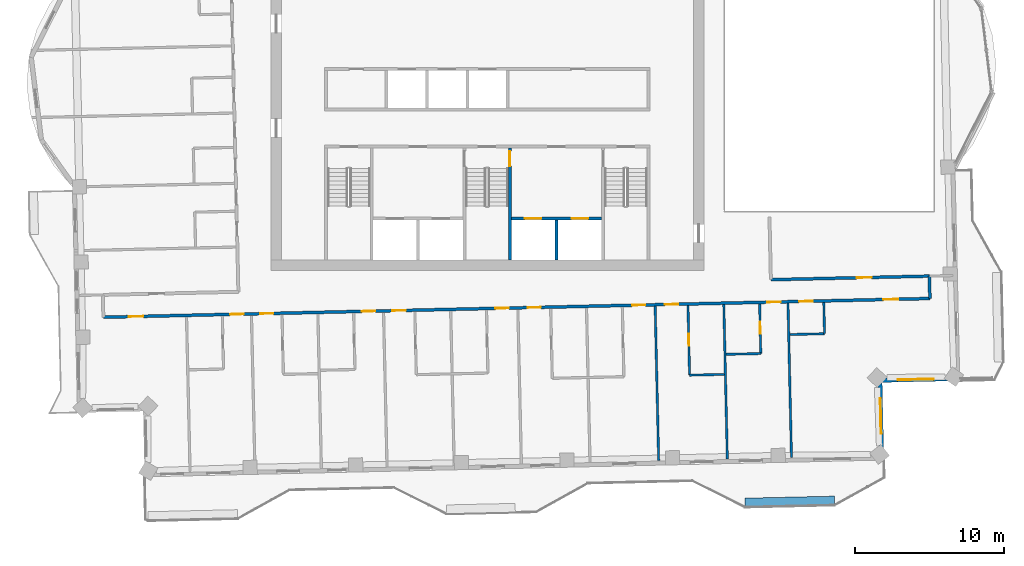
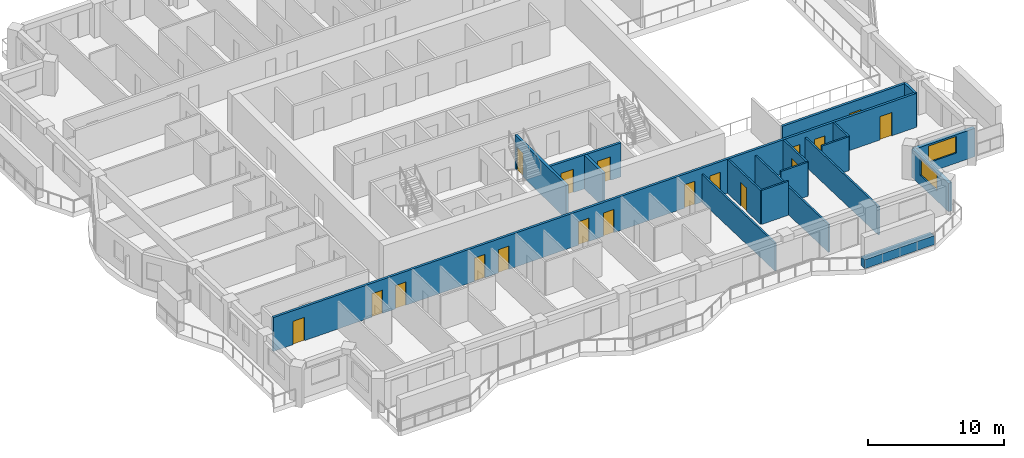
# One storey, part 11 of 19: 18 doors, 18 walls, 2 windows, 20 openings.
"""IFC4 building model written with IfcOpenShell, lengths in metres."""

from ifc_helpers import new_model, si_unit, direction, frame, frame_2d, origin, place, context, subcontext, project, spatial, rectangle, extrude, material, layer, layer_set, type_object, element, fill, save


model = new_model("IFC4")

# Units and contexts
model_context = context("Model", 3, precision=1e-05, world=origin(), true_north=direction((0.0, 1.0)))
body_context = subcontext(model_context, "Body", "Model", "MODEL_VIEW")
ifc_project = project(units=[si_unit("LENGTHUNIT", "METRE"), si_unit("AREAUNIT", "SQUARE_METRE"), si_unit("VOLUMEUNIT", "CUBIC_METRE"), si_unit("PLANEANGLEUNIT", "RADIAN"), si_unit("MASSUNIT", "GRAM", prefix="KILO")], contexts=[model_context])

# Site, building, storey
site_placement = place(None, origin())
site = spatial("IfcSite", under=ifc_project, at=site_placement, CompositionType="ELEMENT")
building_placement = place(site_placement, origin())
building = spatial("IfcBuilding", under=site, at=building_placement, Name="Mangrove Gate Tower", CompositionType="ELEMENT")
storey_placement = place(building_placement, frame((0.0, 0.0, 297.89990234375)))
storey = spatial("IfcBuildingStorey", under=building, at=storey_placement, Name="L76", CompositionType="ELEMENT", Elevation=297.89990234375)

# Wall, openings, doors
ifc_material_1 = material(Name="Concrete C50/60", Category="concrete")
ifc_layer_1 = layer(ifc_material_1, 0.199951171875)
ifc_layer_set_1 = layer_set([ifc_layer_1], Name="Core shaft wall 200 C50/60")
wall_type_1 = type_object("IfcWallType", Name="Core shaft wall 200 C50/60", PredefinedType="SHEAR", material=ifc_layer_set_1)
wall_1_placement = place(storey_placement, frame((1.60009765625, -8.0, 0.0), z_axis=(0.0, 0.0, 1.0), x_axis=(1.0, 0.0, 0.0)))
wall_1 = element("IfcWall", 1, at=wall_1_placement, inside=storey, type_object=wall_type_1, Name="WALL-L76-CORE-17", PredefinedType="SHEAR", context=body_context, shape_type="SweptSolid", body=[
    extrude(rectangle(XDim=6.0498046875, YDim=0.199951171875, at=frame_2d((3.02490234375, 0.0))), origin(), (0.0, 0.0, 1.0), 3.050048828125),
])
opening_1_placement = place(wall_1_placement, frame((0.91259765625, 0.0, 0.0)))
opening_1 = element("IfcOpeningElement", 2, at=opening_1_placement, cuts=wall_1, Name="Opening LD", PredefinedType="OPENING", context=body_context, shape_type="SweptSolid", body=[
    extrude(rectangle(XDim=1.10009765625, YDim=2.10009765625, at=frame_2d((0.550048828125, 1.050048828125))), frame((0.0, 0.10986328125, 0.0), z_axis=(0.0, -1.0, 0.0), x_axis=(1.0, 0.0, 0.0)), (0.0, 0.0, 1.0), 0.219970703125),
])
opening_2_placement = place(wall_1_placement, frame((4.03759765625, 0.0, 0.0)))
opening_2 = element("IfcOpeningElement", 3, at=opening_2_placement, cuts=wall_1, Name="Opening LD", PredefinedType="OPENING", context=body_context, shape_type="SweptSolid", body=[
    extrude(rectangle(XDim=1.10009765625, YDim=2.10009765625, at=frame_2d((0.550048828125, 1.050048828125))), frame((0.0, 0.10986328125, 0.0), z_axis=(0.0, -1.0, 0.0), x_axis=(1.0, 0.0, 0.0)), (0.0, 0.0, 1.0), 0.219970703125),
])
ifc_material_2 = material(Name="Stainless steel 316", Category="steel")
door_type_1 = type_object("IfcDoorType", Name="Lift landing door 1100x2100", OperationType="SLIDING_TO_LEFT", PredefinedType="DOOR", material=ifc_material_2)
door_1_placement = place(opening_1_placement, origin())
door_1 = element("IfcDoor", 4, at=door_1_placement, inside=storey, type_object=door_type_1, Name="Landing door LD FFL1", OperationType="SLIDING_TO_LEFT", OverallHeight=2.10009765625, OverallWidth=1.10009765625, PredefinedType="DOOR", context=body_context, shape_type="SweptSolid", body=[
    extrude(rectangle(XDim=1.10009765625, YDim=2.10009765625, at=frame_2d((0.550048828125, 1.050048828125))), frame((0.0, 0.02490234375, 0.0), z_axis=(0.0, -1.0, 0.0), x_axis=(1.0, 0.0, 0.0)), (0.0, 0.0, 1.0), 0.050048828125),
])
fill(opening_1, door_1)
door_2_placement = place(opening_2_placement, origin())
door_2 = element("IfcDoor", 5, at=door_2_placement, inside=storey, type_object=door_type_1, Name="Landing door LD FFL2", OperationType="SLIDING_TO_LEFT", OverallHeight=2.10009765625, OverallWidth=1.10009765625, PredefinedType="DOOR", context=body_context, shape_type="SweptSolid", body=[
    extrude(rectangle(XDim=1.10009765625, YDim=2.10009765625, at=frame_2d((0.550048828125, 1.050048828125))), frame((0.0, 0.02490234375, 0.0), z_axis=(0.0, -1.0, 0.0), x_axis=(1.0, 0.0, 0.0)), (0.0, 0.0, 1.0), 0.050048828125),
])
fill(opening_2, door_2)

# Wall
wall_2_placement = place(storey_placement, frame((4.625, -10.800048828125, 0.0), z_axis=(0.0, 0.0, 1.0), x_axis=(0.0, 1.0, 0.0)))
element("IfcWall", 6, at=wall_2_placement, inside=storey, type_object=wall_type_1, Name="WALL-L76-CORE-18", PredefinedType="SHEAR", context=body_context, shape_type="SweptSolid", body=[
    extrude(rectangle(XDim=2.699951171875, YDim=0.199951171875, at=frame_2d((1.35009765625, 0.0))), origin(), (0.0, 0.0, 1.0), 3.050048828125),
])

# Wall, opening, door
ifc_material_3 = material(Name="Concrete C50/60", Category="concrete")
ifc_layer_2 = layer(ifc_material_3, 0.199951171875)
ifc_layer_set_2 = layer_set([ifc_layer_2], Name="Core stair wall 200 C50/60")
wall_type_2 = type_object("IfcWallType", Name="Core stair wall 200 C50/60", PredefinedType="SHEAR", material=ifc_layer_set_2)
wall_3_placement = place(storey_placement, frame((1.5, -10.800048828125, 0.0), z_axis=(0.0, 0.0, 1.0), x_axis=(0.0, 1.0, 0.0)))
wall_3 = element("IfcWall", 7, at=wall_3_placement, inside=storey, type_object=wall_type_2, Name="WALL-L76-CORE-12", PredefinedType="SHEAR", context=body_context, shape_type="SweptSolid", body=[
    extrude(rectangle(XDim=7.5, YDim=0.199951171875, at=frame_2d((3.75, 0.0))), origin(), (0.0, 0.0, 1.0), 3.050048828125),
])
opening_3_placement = place(wall_3_placement, frame((6.300048828125, 0.0, 0.0)))
opening_3 = element("IfcOpeningElement", 8, at=opening_3_placement, cuts=wall_3, Name="Opening STD10", PredefinedType="OPENING", context=body_context, shape_type="SweptSolid", body=[
    extrude(rectangle(XDim=1.0, YDim=2.10009765625, at=frame_2d((0.5, 1.050048828125))), frame((0.0, 0.10986328125, 0.0), z_axis=(0.0, -1.0, 0.0), x_axis=(1.0, 0.0, 0.0)), (0.0, 0.0, 1.0), 0.219970703125),
])
ifc_material_4 = material(Name="Fire-rated steel door set", Category="steel")
door_type_2 = type_object("IfcDoorType", Name="Stair door FD60 1000x2100", OperationType="SINGLE_SWING_RIGHT", PredefinedType="DOOR", material=ifc_material_4)
door_3_placement = place(opening_3_placement, origin())
door_3 = element("IfcDoor", 9, at=door_3_placement, inside=storey, type_object=door_type_2, Name="Stair door Stair 2 from fire-fighting lobby", OperationType="SINGLE_SWING_RIGHT", OverallHeight=2.10009765625, OverallWidth=1.0, PredefinedType="DOOR", context=body_context, shape_type="SweptSolid", body=[
    extrude(rectangle(XDim=1.0, YDim=2.10009765625, at=frame_2d((0.5, 1.050048828125))), frame((0.0, 0.02490234375, 0.0), z_axis=(0.0, -1.0, 0.0), x_axis=(1.0, 0.0, 0.0)), (0.0, 0.0, 1.0), 0.050048828125),
])
fill(opening_3, door_3)

# Wall, openings, doors
ifc_material_5 = material(Name="Gypsum board on steel stud, EI 60", Category="steel")
ifc_layer_3 = layer(ifc_material_5, 0.199951171875)
ifc_layer_set_3 = layer_set([ifc_layer_3], Name="Corridor wall EI 60")
wall_type_3 = type_object("IfcWallType", Name="Corridor wall EI 60", PredefinedType="PARTITIONING", material=ifc_layer_set_3)
wall_4_placement = place(storey_placement, frame((-25.73095703125, -14.6240234375, 0.0), z_axis=(0.0, 0.0, 1.0), x_axis=(0.999742799525, 0.022678950563, 0.0)))
wall_4 = element("IfcWall", 10, at=wall_4_placement, inside=storey, type_object=wall_type_3, Name="WALL-L76-029", PredefinedType="PARTITIONING", context=body_context, shape_type="SweptSolid", body=[
    extrude(rectangle(XDim=55.38623046875, YDim=0.199951171875, at=frame_2d((27.693115234375, 0.0))), origin(), (0.0, 0.0, 1.0), 3.050048828125),
])
opening_4_placement = place(wall_4_placement, frame((1.69091796875, 0.0, 0.0)))
opening_4 = element("IfcOpeningElement", 11, at=opening_4_placement, cuts=wall_4, Name="Opening AD", PredefinedType="OPENING", context=body_context, shape_type="SweptSolid", body=[
    extrude(rectangle(XDim=1.0, YDim=2.10009765625, at=frame_2d((0.5, 1.050048828125))), frame((0.0, 0.10986328125, 0.0), z_axis=(0.0, -1.0, 0.0), x_axis=(1.0, 0.0, 0.0)), (0.0, 0.0, 1.0), 0.219970703125),
])
opening_5_placement = place(wall_4_placement, frame((8.5, 0.0, 0.0)))
opening_5 = element("IfcOpeningElement", 12, at=opening_5_placement, cuts=wall_4, Name="Opening BD", PredefinedType="OPENING", context=body_context, shape_type="SweptSolid", body=[
    extrude(rectangle(XDim=0.89990234375, YDim=2.10009765625, at=frame_2d((0.449951171875, 1.050048828125))), frame((0.0, 0.10986328125, 0.0), z_axis=(0.0, -1.0, 0.0), x_axis=(1.0, 0.0, 0.0)), (0.0, 0.0, 1.0), 0.219970703125),
])
opening_6_placement = place(wall_4_placement, frame((10.5, 0.0, 0.0)))
opening_6 = element("IfcOpeningElement", 13, at=opening_6_placement, cuts=wall_4, Name="Opening BD", PredefinedType="OPENING", context=body_context, shape_type="SweptSolid", body=[
    extrude(rectangle(XDim=0.89990234375, YDim=2.10009765625, at=frame_2d((0.449951171875, 1.050048828125))), frame((0.0, 0.10986328125, 0.0), z_axis=(0.0, -1.0, 0.0), x_axis=(1.0, 0.0, 0.0)), (0.0, 0.0, 1.0), 0.219970703125),
])
opening_7_placement = place(wall_4_placement, frame((17.324951171875, 0.0, 0.0)))
opening_7 = element("IfcOpeningElement", 14, at=opening_7_placement, cuts=wall_4, Name="Opening BD", PredefinedType="OPENING", context=body_context, shape_type="SweptSolid", body=[
    extrude(rectangle(XDim=0.89990234375, YDim=2.10009765625, at=frame_2d((0.449951171875, 1.050048828125))), frame((0.0, 0.10986328125, 0.0), z_axis=(0.0, -1.0, 0.0), x_axis=(1.0, 0.0, 0.0)), (0.0, 0.0, 1.0), 0.219970703125),
])
opening_8_placement = place(wall_4_placement, frame((19.375, 0.0, 0.0)))
opening_8 = element("IfcOpeningElement", 15, at=opening_8_placement, cuts=wall_4, Name="Opening BD", PredefinedType="OPENING", context=body_context, shape_type="SweptSolid", body=[
    extrude(rectangle(XDim=0.89990234375, YDim=2.10009765625, at=frame_2d((0.449951171875, 1.050048828125))), frame((0.0, 0.10986328125, 0.0), z_axis=(0.0, -1.0, 0.0), x_axis=(1.0, 0.0, 0.0)), (0.0, 0.0, 1.0), 0.219970703125),
])
opening_9_placement = place(wall_4_placement, frame((26.27490234375, 0.0, 0.0)))
opening_9 = element("IfcOpeningElement", 16, at=opening_9_placement, cuts=wall_4, Name="Opening BD", PredefinedType="OPENING", context=body_context, shape_type="SweptSolid", body=[
    extrude(rectangle(XDim=0.89990234375, YDim=2.10009765625, at=frame_2d((0.449951171875, 1.050048828125))), frame((0.0, 0.10986328125, 0.0), z_axis=(0.0, -1.0, 0.0), x_axis=(1.0, 0.0, 0.0)), (0.0, 0.0, 1.0), 0.219970703125),
])
opening_10_placement = place(wall_4_placement, frame((28.425048828125, 0.0, 0.0)))
opening_10 = element("IfcOpeningElement", 17, at=opening_10_placement, cuts=wall_4, Name="Opening BD", PredefinedType="OPENING", context=body_context, shape_type="SweptSolid", body=[
    extrude(rectangle(XDim=0.89990234375, YDim=2.10009765625, at=frame_2d((0.449951171875, 1.050048828125))), frame((0.0, 0.10986328125, 0.0), z_axis=(0.0, -1.0, 0.0), x_axis=(1.0, 0.0, 0.0)), (0.0, 0.0, 1.0), 0.219970703125),
])
opening_11_placement = place(wall_4_placement, frame((35.425048828125, 0.0, 0.0)))
opening_11 = element("IfcOpeningElement", 18, at=opening_11_placement, cuts=wall_4, Name="Opening BD", PredefinedType="OPENING", context=body_context, shape_type="SweptSolid", body=[
    extrude(rectangle(XDim=0.89990234375, YDim=2.10009765625, at=frame_2d((0.449951171875, 1.050048828125))), frame((0.0, 0.10986328125, 0.0), z_axis=(0.0, -1.0, 0.0), x_axis=(1.0, 0.0, 0.0)), (0.0, 0.0, 1.0), 0.219970703125),
])
opening_12_placement = place(wall_4_placement, frame((37.625, 0.0, 0.0)))
opening_12 = element("IfcOpeningElement", 19, at=opening_12_placement, cuts=wall_4, Name="Opening BD", PredefinedType="OPENING", context=body_context, shape_type="SweptSolid", body=[
    extrude(rectangle(XDim=0.89990234375, YDim=2.10009765625, at=frame_2d((0.449951171875, 1.050048828125))), frame((0.0, 0.10986328125, 0.0), z_axis=(0.0, -1.0, 0.0), x_axis=(1.0, 0.0, 0.0)), (0.0, 0.0, 1.0), 0.219970703125),
])
opening_13_placement = place(wall_4_placement, frame((44.47509765625, 0.0, 0.0)))
opening_13 = element("IfcOpeningElement", 20, at=opening_13_placement, cuts=wall_4, Name="Opening BD", PredefinedType="OPENING", context=body_context, shape_type="SweptSolid", body=[
    extrude(rectangle(XDim=0.89990234375, YDim=2.10009765625, at=frame_2d((0.449951171875, 1.050048828125))), frame((0.0, 0.10986328125, 0.0), z_axis=(0.0, -1.0, 0.0), x_axis=(1.0, 0.0, 0.0)), (0.0, 0.0, 1.0), 0.219970703125),
])
opening_14_placement = place(wall_4_placement, frame((52.26806640625, 0.0, 0.0)))
opening_14 = element("IfcOpeningElement", 21, at=opening_14_placement, cuts=wall_4, Name="Opening AD", PredefinedType="OPENING", context=body_context, shape_type="SweptSolid", body=[
    extrude(rectangle(XDim=1.0, YDim=2.10009765625, at=frame_2d((0.5, 1.050048828125))), frame((0.0, 0.10986328125, 0.0), z_axis=(0.0, -1.0, 0.0), x_axis=(1.0, 0.0, 0.0)), (0.0, 0.0, 1.0), 0.219970703125),
])
opening_15_placement = place(wall_4_placement, frame((46.625, 0.0, 0.0)))
opening_15 = element("IfcOpeningElement", 22, at=opening_15_placement, cuts=wall_4, Name="Opening SD", PredefinedType="OPENING", context=body_context, shape_type="SweptSolid", body=[
    extrude(rectangle(XDim=0.89990234375, YDim=2.10009765625, at=frame_2d((0.449951171875, 1.050048828125))), frame((0.0, 0.10986328125, 0.0), z_axis=(0.0, -1.0, 0.0), x_axis=(1.0, 0.0, 0.0)), (0.0, 0.0, 1.0), 0.219970703125),
])
ifc_material_6 = material(Name="Timber door leaf", Category="wood")
door_type_3 = type_object("IfcDoorType", Name="Amenity door 1000", OperationType="SINGLE_SWING_LEFT", PredefinedType="DOOR", material=ifc_material_6)
door_4_placement = place(opening_4_placement, origin())
door_4 = element("IfcDoor", 23, at=door_4_placement, inside=storey, type_object=door_type_3, Name="DOOR-L76-STU-c1a", OperationType="SINGLE_SWING_LEFT", OverallHeight=2.10009765625, OverallWidth=1.0, PredefinedType="DOOR", context=body_context, shape_type="SweptSolid", body=[
    extrude(rectangle(XDim=1.0, YDim=2.10009765625, at=frame_2d((0.5, 1.050048828125))), frame((0.0, 0.02490234375, 0.0), z_axis=(0.0, -1.0, 0.0), x_axis=(1.0, 0.0, 0.0)), (0.0, 0.0, 1.0), 0.050048828125),
])
fill(opening_4, door_4)
door_5_placement = place(opening_14_placement, origin())
door_5 = element("IfcDoor", 24, at=door_5_placement, inside=storey, type_object=door_type_3, Name="DOOR-L76-LNG-c3a", OperationType="SINGLE_SWING_RIGHT", OverallHeight=2.10009765625, OverallWidth=1.0, PredefinedType="DOOR", context=body_context, shape_type="SweptSolid", body=[
    extrude(rectangle(XDim=1.0, YDim=2.10009765625, at=frame_2d((0.5, 1.050048828125))), frame((0.0, 0.02490234375, 0.0), z_axis=(0.0, -1.0, 0.0), x_axis=(1.0, 0.0, 0.0)), (0.0, 0.0, 1.0), 0.050048828125),
])
fill(opening_14, door_5)
ifc_material_7 = material(Name="Timber door leaf", Category="wood")
door_type_4 = type_object("IfcDoorType", Name="Bedroom door 900", OperationType="SINGLE_SWING_LEFT", PredefinedType="DOOR", material=ifc_material_7)
door_6_placement = place(opening_5_placement, origin())
door_6 = element("IfcDoor", 25, at=door_6_placement, inside=storey, type_object=door_type_4, Name="DOOR-L76-BED-c101", OperationType="SINGLE_SWING_LEFT", OverallHeight=2.10009765625, OverallWidth=0.89990234375, PredefinedType="DOOR", context=body_context, shape_type="SweptSolid", body=[
    extrude(rectangle(XDim=0.89990234375, YDim=2.10009765625, at=frame_2d((0.449951171875, 1.050048828125))), frame((0.0, 0.02490234375, 0.0), z_axis=(0.0, -1.0, 0.0), x_axis=(1.0, 0.0, 0.0)), (0.0, 0.0, 1.0), 0.050048828125),
])
fill(opening_5, door_6)
door_7_placement = place(opening_6_placement, origin())
door_7 = element("IfcDoor", 26, at=door_7_placement, inside=storey, type_object=door_type_4, Name="DOOR-L76-BED-c102", OperationType="SINGLE_SWING_RIGHT", OverallHeight=2.10009765625, OverallWidth=0.89990234375, PredefinedType="DOOR", context=body_context, shape_type="SweptSolid", body=[
    extrude(rectangle(XDim=0.89990234375, YDim=2.10009765625, at=frame_2d((0.449951171875, 1.050048828125))), frame((0.0, 0.02490234375, 0.0), z_axis=(0.0, -1.0, 0.0), x_axis=(1.0, 0.0, 0.0)), (0.0, 0.0, 1.0), 0.050048828125),
])
fill(opening_6, door_7)
door_8_placement = place(opening_7_placement, origin())
door_8 = element("IfcDoor", 27, at=door_8_placement, inside=storey, type_object=door_type_4, Name="DOOR-L76-BED-c103", OperationType="SINGLE_SWING_LEFT", OverallHeight=2.10009765625, OverallWidth=0.89990234375, PredefinedType="DOOR", context=body_context, shape_type="SweptSolid", body=[
    extrude(rectangle(XDim=0.89990234375, YDim=2.10009765625, at=frame_2d((0.449951171875, 1.050048828125))), frame((0.0, 0.02490234375, 0.0), z_axis=(0.0, -1.0, 0.0), x_axis=(1.0, 0.0, 0.0)), (0.0, 0.0, 1.0), 0.050048828125),
])
fill(opening_7, door_8)
door_9_placement = place(opening_8_placement, origin())
door_9 = element("IfcDoor", 28, at=door_9_placement, inside=storey, type_object=door_type_4, Name="DOOR-L76-BED-c104", OperationType="SINGLE_SWING_RIGHT", OverallHeight=2.10009765625, OverallWidth=0.89990234375, PredefinedType="DOOR", context=body_context, shape_type="SweptSolid", body=[
    extrude(rectangle(XDim=0.89990234375, YDim=2.10009765625, at=frame_2d((0.449951171875, 1.050048828125))), frame((0.0, 0.02490234375, 0.0), z_axis=(0.0, -1.0, 0.0), x_axis=(1.0, 0.0, 0.0)), (0.0, 0.0, 1.0), 0.050048828125),
])
fill(opening_8, door_9)
door_10_placement = place(opening_9_placement, origin())
door_10 = element("IfcDoor", 29, at=door_10_placement, inside=storey, type_object=door_type_4, Name="DOOR-L76-BED-c205", OperationType="SINGLE_SWING_LEFT", OverallHeight=2.10009765625, OverallWidth=0.89990234375, PredefinedType="DOOR", context=body_context, shape_type="SweptSolid", body=[
    extrude(rectangle(XDim=0.89990234375, YDim=2.10009765625, at=frame_2d((0.449951171875, 1.050048828125))), frame((0.0, 0.02490234375, 0.0), z_axis=(0.0, -1.0, 0.0), x_axis=(1.0, 0.0, 0.0)), (0.0, 0.0, 1.0), 0.050048828125),
])
fill(opening_9, door_10)
door_11_placement = place(opening_10_placement, origin())
door_11 = element("IfcDoor", 30, at=door_11_placement, inside=storey, type_object=door_type_4, Name="DOOR-L76-BED-c206", OperationType="SINGLE_SWING_RIGHT", OverallHeight=2.10009765625, OverallWidth=0.89990234375, PredefinedType="DOOR", context=body_context, shape_type="SweptSolid", body=[
    extrude(rectangle(XDim=0.89990234375, YDim=2.10009765625, at=frame_2d((0.449951171875, 1.050048828125))), frame((0.0, 0.02490234375, 0.0), z_axis=(0.0, -1.0, 0.0), x_axis=(1.0, 0.0, 0.0)), (0.0, 0.0, 1.0), 0.050048828125),
])
fill(opening_10, door_11)
door_12_placement = place(opening_11_placement, origin())
door_12 = element("IfcDoor", 31, at=door_12_placement, inside=storey, type_object=door_type_4, Name="DOOR-L76-BED-c207", OperationType="SINGLE_SWING_LEFT", OverallHeight=2.10009765625, OverallWidth=0.89990234375, PredefinedType="DOOR", context=body_context, shape_type="SweptSolid", body=[
    extrude(rectangle(XDim=0.89990234375, YDim=2.10009765625, at=frame_2d((0.449951171875, 1.050048828125))), frame((0.0, 0.02490234375, 0.0), z_axis=(0.0, -1.0, 0.0), x_axis=(1.0, 0.0, 0.0)), (0.0, 0.0, 1.0), 0.050048828125),
])
fill(opening_11, door_12)
door_13_placement = place(opening_12_placement, origin())
door_13 = element("IfcDoor", 32, at=door_13_placement, inside=storey, type_object=door_type_4, Name="DOOR-L76-BED-c208", OperationType="SINGLE_SWING_RIGHT", OverallHeight=2.10009765625, OverallWidth=0.89990234375, PredefinedType="DOOR", context=body_context, shape_type="SweptSolid", body=[
    extrude(rectangle(XDim=0.89990234375, YDim=2.10009765625, at=frame_2d((0.449951171875, 1.050048828125))), frame((0.0, 0.02490234375, 0.0), z_axis=(0.0, -1.0, 0.0), x_axis=(1.0, 0.0, 0.0)), (0.0, 0.0, 1.0), 0.050048828125),
])
fill(opening_12, door_13)
door_14_placement = place(opening_13_placement, origin())
door_14 = element("IfcDoor", 33, at=door_14_placement, inside=storey, type_object=door_type_4, Name="DOOR-L76-BED-c309", OperationType="SINGLE_SWING_LEFT", OverallHeight=2.10009765625, OverallWidth=0.89990234375, PredefinedType="DOOR", context=body_context, shape_type="SweptSolid", body=[
    extrude(rectangle(XDim=0.89990234375, YDim=2.10009765625, at=frame_2d((0.449951171875, 1.050048828125))), frame((0.0, 0.02490234375, 0.0), z_axis=(0.0, -1.0, 0.0), x_axis=(1.0, 0.0, 0.0)), (0.0, 0.0, 1.0), 0.050048828125),
])
fill(opening_13, door_14)
ifc_material_8 = material(Name="Timber door leaf", Category="wood")
door_type_5 = type_object("IfcDoorType", Name="Service room door 900", OperationType="SINGLE_SWING_LEFT", PredefinedType="DOOR", material=ifc_material_8)
door_15_placement = place(opening_15_placement, origin())
door_15 = element("IfcDoor", 34, at=door_15_placement, inside=storey, type_object=door_type_5, Name="DOOR-L76-LIN-c3a", OperationType="SINGLE_SWING_LEFT", OverallHeight=2.10009765625, OverallWidth=0.89990234375, PredefinedType="DOOR", context=body_context, shape_type="SweptSolid", body=[
    extrude(rectangle(XDim=0.89990234375, YDim=2.10009765625, at=frame_2d((0.449951171875, 1.050048828125))), frame((0.0, 0.02490234375, 0.0), z_axis=(0.0, -1.0, 0.0), x_axis=(1.0, 0.0, 0.0)), (0.0, 0.0, 1.0), 0.050048828125),
])
fill(opening_15, door_15)

# Wall
wall_5_placement = place(storey_placement, frame((29.637939453125, -13.367919921875, 0.0), z_axis=(0.0, 0.0, 1.0), x_axis=(-0.022617910375, 0.999744182344, 0.0)))
element("IfcWall", 35, at=wall_5_placement, inside=storey, type_object=wall_type_3, Name="WALL-L76-031", PredefinedType="PARTITIONING", context=body_context, shape_type="SweptSolid", body=[
    extrude(rectangle(XDim=1.50048828125, YDim=0.199951171875, at=frame_2d((0.750244140625, 0.0))), origin(), (0.0, 0.0, 1.0), 3.050048828125),
])

# Wall, opening, door
wall_6_placement = place(storey_placement, frame((18.985107421875, -12.10888671875, 0.0), z_axis=(0.0, 0.0, 1.0), x_axis=(0.999742771882, 0.022680169073, 0.0)))
wall_6 = element("IfcWall", 36, at=wall_6_placement, inside=storey, type_object=wall_type_3, Name="WALL-L76-035", PredefinedType="PARTITIONING", context=body_context, shape_type="SweptSolid", body=[
    extrude(rectangle(XDim=10.62451171875, YDim=0.199951171875, at=frame_2d((5.312255859375, 0.0))), origin(), (0.0, 0.0, 1.0), 3.050048828125),
])
opening_16_placement = place(wall_6_placement, frame((5.75, 0.0, 0.0)))
opening_16 = element("IfcOpeningElement", 37, at=opening_16_placement, cuts=wall_6, Name="Opening AD", PredefinedType="OPENING", context=body_context, shape_type="SweptSolid", body=[
    extrude(rectangle(XDim=1.0, YDim=2.10009765625, at=frame_2d((0.5, 1.050048828125))), frame((0.0, 0.10986328125, 0.0), z_axis=(0.0, -1.0, 0.0), x_axis=(1.0, 0.0, 0.0)), (0.0, 0.0, 1.0), 0.219970703125),
])
door_16_placement = place(opening_16_placement, origin())
door_16 = element("IfcDoor", 38, at=door_16_placement, inside=storey, type_object=door_type_3, Name="DOOR-L76-GAM-c3a", OperationType="SINGLE_SWING_LEFT", OverallHeight=2.10009765625, OverallWidth=1.0, PredefinedType="DOOR", context=body_context, shape_type="SweptSolid", body=[
    extrude(rectangle(XDim=1.0, YDim=2.10009765625, at=frame_2d((0.5, 1.050048828125))), frame((0.0, 0.02490234375, 0.0), z_axis=(0.0, -1.0, 0.0), x_axis=(1.0, 0.0, 0.0)), (0.0, 0.0, 1.0), 0.050048828125),
])
fill(opening_16, door_16)

# Wall, opening, window
ifc_material_9 = material(Name="Limestone", Category="masonry")
ifc_layer_4 = layer(ifc_material_9, 0.0400390625, Name="Limestone cladding")
ifc_material_10 = material(Name="Ventilated air gap")
ifc_layer_5 = layer(ifc_material_10, 0.0400390625, Name="Ventilated cavity")
ifc_material_11 = material(Name="Mineral wool insulation")
ifc_layer_6 = layer(ifc_material_11, 0.06005859375, Name="Insulation")
ifc_material_12 = material(Name="Breather membrane")
ifc_layer_7 = layer(ifc_material_12, 0.001953125, Name="Breather membrane")
ifc_material_13 = material(Name="Concrete C20/25 blockwork", Category="masonry")
ifc_layer_8 = layer(ifc_material_13, 0.14990234375, Name="Blockwork backing wall")
ifc_material_14 = material(Name="Gypsum plaster")
ifc_layer_9 = layer(ifc_material_14, 0.008056640625, Name="Internal plaster")
ifc_layer_set_4 = layer_set([ifc_layer_4, ifc_layer_5, ifc_layer_6, ifc_layer_7, ifc_layer_8, ifc_layer_9], Name="External wall 300 limestone cladding")
wall_type_4 = type_object("IfcWallType", Name="External wall 300 limestone cladding", PredefinedType="SOLIDWALL", material=ifc_layer_set_4)
wall_7_placement = place(storey_placement, frame((26.406982421875, -24.0439453125, 0.0), z_axis=(0.0, 0.0, 1.0), x_axis=(-0.022675548694, 0.99974287669, 0.0)))
wall_7 = element("IfcWall", 39, at=wall_7_placement, inside=storey, type_object=wall_type_4, Name="WALL-L76-E14", PredefinedType="SOLIDWALL", context=body_context, shape_type="SweptSolid", body=[
    extrude(rectangle(XDim=5.2001953125, YDim=0.300048828125, at=frame_2d((2.60009765625, 0.0))), origin(), (0.0, 0.0, 1.0), 2.550048828125),
])
opening_17_placement = place(wall_7_placement, frame((1.60498046875, 0.0, 0.89990234375)))
opening_17 = element("IfcOpeningElement", 40, at=opening_17_placement, cuts=wall_7, Name="Opening W2", PredefinedType="OPENING", context=body_context, shape_type="SweptSolid", body=[
    extrude(rectangle(XDim=2.39990234375, YDim=1.5, at=frame_2d((1.199951171875, 0.75))), frame((0.0, 0.159912109375, 0.0), z_axis=(0.0, -1.0, 0.0), x_axis=(1.0, 0.0, 0.0)), (0.0, 0.0, 1.0), 0.320068359375),
])
ifc_material_15 = material(Name="Aluminium frame with double-glazed low-e glass", Category="aluminium")
window_type = type_object("IfcWindowType", Name="Corner room window 2400x1500", PartitioningType="DOUBLE_PANEL_VERTICAL", PredefinedType="WINDOW", material=ifc_material_15)
window_1_placement = place(opening_17_placement, origin())
window_1 = element("IfcWindow", 41, at=window_1_placement, inside=storey, type_object=window_type, Name="WIN-L76-E14-1", OverallHeight=1.5, OverallWidth=2.39990234375, PartitioningType="DOUBLE_PANEL_VERTICAL", PredefinedType="WINDOW", context=body_context, shape_type="SweptSolid", body=[
    extrude(rectangle(XDim=2.39990234375, YDim=1.5, at=frame_2d((1.199951171875, 0.75))), frame((0.0, 0.030029296875, 0.0), z_axis=(0.0, -1.0, 0.0), x_axis=(1.0, 0.0, 0.0)), (0.0, 0.0, 1.0), 0.06005859375),
])
fill(opening_17, window_1)

wall_8_placement = place(storey_placement, frame((26.2890625, -18.844970703125, 0.0), z_axis=(0.0, 0.0, 1.0), x_axis=(0.99974287669, 0.022675548694, 0.0)))
wall_8 = element("IfcWall", 42, at=wall_8_placement, inside=storey, type_object=wall_type_4, Name="WALL-L76-S15", PredefinedType="SOLIDWALL", context=body_context, shape_type="SweptSolid", body=[
    extrude(rectangle(XDim=5.2001953125, YDim=0.300048828125, at=frame_2d((2.60009765625, 0.0))), origin(), (0.0, 0.0, 1.0), 2.550048828125),
])
opening_18_placement = place(wall_8_placement, frame((1.194091796875, 0.0, 0.89990234375)))
opening_18 = element("IfcOpeningElement", 43, at=opening_18_placement, cuts=wall_8, Name="Opening W2", PredefinedType="OPENING", context=body_context, shape_type="SweptSolid", body=[
    extrude(rectangle(XDim=2.39990234375, YDim=1.5, at=frame_2d((1.199951171875, 0.75))), frame((0.0, 0.159912109375, 0.0), z_axis=(0.0, -1.0, 0.0), x_axis=(1.0, 0.0, 0.0)), (0.0, 0.0, 1.0), 0.320068359375),
])
window_2_placement = place(opening_18_placement, origin())
window_2 = element("IfcWindow", 44, at=window_2_placement, inside=storey, type_object=window_type, Name="WIN-L76-S15-1", OverallHeight=1.5, OverallWidth=2.39990234375, PartitioningType="DOUBLE_PANEL_VERTICAL", PredefinedType="WINDOW", context=body_context, shape_type="SweptSolid", body=[
    extrude(rectangle(XDim=2.39990234375, YDim=1.5, at=frame_2d((1.199951171875, 0.75))), frame((0.0, 0.030029296875, 0.0), z_axis=(0.0, -1.0, 0.0), x_axis=(1.0, 0.0, 0.0)), (0.0, 0.0, 1.0), 0.06005859375),
])
fill(opening_18, window_2)

# Walls
ifc_material_16 = material(Name="Gypsum board on steel stud, EI 60", Category="steel")
ifc_layer_10 = layer(ifc_material_16, 0.14990234375)
ifc_layer_set_5 = layer_set([ifc_layer_10], Name="Party wall 150 EI 60")
wall_type_5 = type_object("IfcWallType", Name="Party wall 150 EI 60", PredefinedType="PARTITIONING", material=ifc_layer_set_5)
for number, where, z_axis, x_axis, name in (
    (45, (11.469970703125, -24.23291015625, 0.0), (0.0, 0.0, 1.0), (-0.022690865001, 0.999742529177, 0.0), "WALL-L76-008"),
    (46, (16.069091796875, -24.12890625, 0.0), (0.0, 0.0, 1.0), (-0.022714440015, 0.999741993824, 0.0), "WALL-L76-009"),
):
    element("IfcWall", number, at=place(storey_placement, frame(where, z_axis=z_axis, x_axis=x_axis)), inside=storey, type_object=wall_type_5, Name=name, PredefinedType="PARTITIONING", context=body_context, shape_type="SweptSolid", body=[
        extrude(rectangle(XDim=10.3505859375, YDim=0.14990234375, at=frame_2d((5.17529296875, 0.0))), origin(), (0.0, 0.0, 1.0), 2.5),
    ])
wall_9_placement = place(storey_placement, frame((20.366943359375, -24.031005859375, 0.0), z_axis=(0.0, 0.0, 1.0), x_axis=(-0.022596564565, 0.999744665037, 0.0)))
element("IfcWall", 47, at=wall_9_placement, inside=storey, type_object=wall_type_5, Name="WALL-L76-010", PredefinedType="PARTITIONING", context=body_context, shape_type="SweptSolid", body=[
    extrude(rectangle(XDim=10.3505859375, YDim=0.14990234375, at=frame_2d((5.17529296875, 0.0))), origin(), (0.0, 0.0, 1.0), 2.550048828125),
])

# Wall, opening, door
wall_10_placement = place(storey_placement, frame((13.5400390625, -18.50390625, 0.0), z_axis=(0.0, 0.0, 1.0), x_axis=(-0.022688155425, 0.999742590672, 0.0)))
wall_10 = element("IfcWall", 48, at=wall_10_placement, inside=storey, type_object=wall_type_5, Name="WALL-L76-014", PredefinedType="PARTITIONING", context=body_context, shape_type="SweptSolid", body=[
    extrude(rectangle(XDim=4.670166015625, YDim=0.14990234375, at=frame_2d((2.3349609375, 0.0))), origin(), (0.0, 0.0, 1.0), 3.050048828125),
])
opening_19_placement = place(wall_10_placement, frame((1.985107421875, 0.0, 0.0)))
opening_19 = element("IfcOpeningElement", 49, at=opening_19_placement, cuts=wall_10, Name="Opening ED", PredefinedType="OPENING", context=body_context, shape_type="SweptSolid", body=[
    extrude(rectangle(XDim=0.800048828125, YDim=2.10009765625, at=frame_2d((0.39990234375, 1.050048828125))), frame((0.0, 0.0849609375, 0.0), z_axis=(0.0, -1.0, 0.0), x_axis=(1.0, 0.0, 0.0)), (0.0, 0.0, 1.0), 0.169921875),
])
ifc_material_17 = material(Name="Timber door leaf", Category="wood")
door_type_6 = type_object("IfcDoorType", Name="En-suite door 800", OperationType="SINGLE_SWING_LEFT", PredefinedType="DOOR", material=ifc_material_17)
door_17_placement = place(opening_19_placement, origin())
door_17 = element("IfcDoor", 50, at=door_17_placement, inside=storey, type_object=door_type_6, Name="DOOR-L76-ENS-c208", OperationType="SINGLE_SWING_RIGHT", OverallHeight=2.10009765625, OverallWidth=0.800048828125, PredefinedType="DOOR", context=body_context, shape_type="SweptSolid", body=[
    extrude(rectangle(XDim=0.800048828125, YDim=2.10009765625, at=frame_2d((0.39990234375, 1.050048828125))), frame((0.0, 0.02490234375, 0.0), z_axis=(0.0, -1.0, 0.0), x_axis=(1.0, 0.0, 0.0)), (0.0, 0.0, 1.0), 0.050048828125),
])
fill(opening_19, door_17)

# Walls
for number, where, z_axis, x_axis, name in (
    (51, (13.5419921875, -18.50390625, 0.0), (0.0, 0.0, 1.0), (0.999749954681, 0.022361308448, 0.0), "WALL-L76-015"),
    (52, (15.986083984375, -17.10791015625, 0.0), (0.0, 0.0, 1.0), (0.999749954681, 0.022361308448, 0.0), "WALL-L76-025"),
):
    element("IfcWall", number, at=place(storey_placement, frame(where, z_axis=z_axis, x_axis=x_axis)), inside=storey, type_object=wall_type_5, Name=name, PredefinedType="PARTITIONING", context=body_context, shape_type="SweptSolid", body=[
        extrude(rectangle(XDim=2.325439453125, YDim=0.14990234375, at=frame_2d((1.16259765625, 0.0))), origin(), (0.0, 0.0, 1.0), 3.050048828125),
    ])

# Wall, opening, door
wall_11_placement = place(storey_placement, frame((18.30908203125, -17.055908203125, 0.0), z_axis=(0.0, 0.0, 1.0), x_axis=(-0.022876300007, 0.999738303206, 0.0)))
wall_11 = element("IfcWall", 53, at=wall_11_placement, inside=storey, type_object=wall_type_5, Name="WALL-L76-026", PredefinedType="PARTITIONING", context=body_context, shape_type="SweptSolid", body=[
    extrude(rectangle(XDim=3.329833984375, YDim=0.14990234375, at=frame_2d((1.6650390625, 0.0))), origin(), (0.0, 0.0, 1.0), 3.050048828125),
])
opening_20_placement = place(wall_11_placement, frame((1.31494140625, 0.0, 0.0)))
opening_20 = element("IfcOpeningElement", 54, at=opening_20_placement, cuts=wall_11, Name="Opening ED", PredefinedType="OPENING", context=body_context, shape_type="SweptSolid", body=[
    extrude(rectangle(XDim=0.800048828125, YDim=2.10009765625, at=frame_2d((0.39990234375, 1.050048828125))), frame((0.0, 0.0849609375, 0.0), z_axis=(0.0, -1.0, 0.0), x_axis=(1.0, 0.0, 0.0)), (0.0, 0.0, 1.0), 0.169921875),
])
door_18_placement = place(opening_20_placement, origin())
door_18 = element("IfcDoor", 55, at=door_18_placement, inside=storey, type_object=door_type_6, Name="DOOR-L76-ENS-c309", OperationType="SINGLE_SWING_LEFT", OverallHeight=2.10009765625, OverallWidth=0.800048828125, PredefinedType="DOOR", context=body_context, shape_type="SweptSolid", body=[
    extrude(rectangle(XDim=0.800048828125, YDim=2.10009765625, at=frame_2d((0.39990234375, 1.050048828125))), frame((0.0, 0.02490234375, 0.0), z_axis=(0.0, -1.0, 0.0), x_axis=(1.0, 0.0, 0.0)), (0.0, 0.0, 1.0), 0.050048828125),
])
fill(opening_20, door_18)

# Walls
wall_12_placement = place(storey_placement, frame((20.257080078125, -15.781005859375, 0.0), z_axis=(0.0, 0.0, 1.0), x_axis=(0.999740478815, 0.022781023197, 0.0)))
element("IfcWall", 56, at=wall_12_placement, inside=storey, type_object=wall_type_5, Name="WALL-L76-027", PredefinedType="PARTITIONING", context=body_context, shape_type="SweptSolid", body=[
    extrude(rectangle(XDim=2.325439453125, YDim=0.14990234375, at=frame_2d((1.16259765625, 0.0))), origin(), (0.0, 0.0, 1.0), 3.050048828125),
])
wall_13_placement = place(storey_placement, frame((22.580078125, -15.72900390625, 0.0), z_axis=(0.0, 0.0, 1.0), x_axis=(-0.022895647347, 0.999737860308, 0.0)))
element("IfcWall", 57, at=wall_13_placement, inside=storey, type_object=wall_type_5, Name="WALL-L76-028", PredefinedType="PARTITIONING", context=body_context, shape_type="SweptSolid", body=[
    extrude(rectangle(XDim=2.1005859375, YDim=0.14990234375, at=frame_2d((1.05029296875, 0.0))), origin(), (0.0, 0.0, 1.0), 3.050048828125),
])
ifc_material_18 = material(Name="Concrete C32/40", Category="concrete")
ifc_layer_11 = layer(ifc_material_18, 0.199951171875, Name="Planter trough wall")
ifc_material_19 = material(Name="Bituminous waterproofing membrane")
ifc_layer_12 = layer(ifc_material_19, 0.0048828125, Name="Waterproofing")
ifc_material_20 = material(Name="Drainage board and gravel")
ifc_layer_13 = layer(ifc_material_20, 0.044921875, Name="Drainage layer")
ifc_material_21 = material(Name="Planting soil")
ifc_layer_14 = layer(ifc_material_21, 0.300048828125, Name="Growing medium")
ifc_layer_set_6 = layer_set([ifc_layer_11, ifc_layer_12, ifc_layer_13, ifc_layer_14], Name="Planter wall 550 C32/40")
wall_type_6 = type_object("IfcWallType", Name="Planter wall 550 C32/40", PredefinedType="USERDEFINED", material=ifc_layer_set_6)
wall_14_placement = place(storey_placement, frame((17.2548828125, -27.01708984375, 0.0), z_axis=(0.0, 0.0, 1.0), x_axis=(0.999743094499, 0.022665943652, 0.0)))
element("IfcWall", 58, at=wall_14_placement, inside=storey, type_object=wall_type_6, Name="PLANTER L76 S1.1", ObjectType="PLANTER", PredefinedType="USERDEFINED", context=body_context, shape_type="SweptSolid", body=[
    extrude(rectangle(XDim=5.99951171875, YDim=0.550048828125, at=frame_2d((2.999755859375, 0.0))), origin(), (0.0, 0.0, 1.0), 0.800048828125),
])

save(model, "model.ifc")
